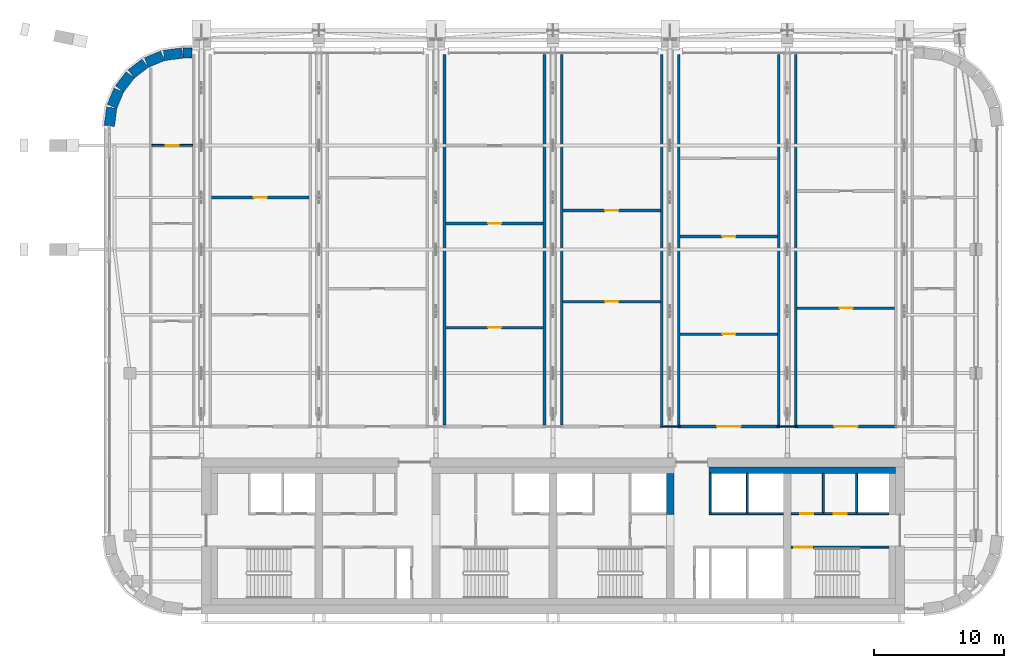
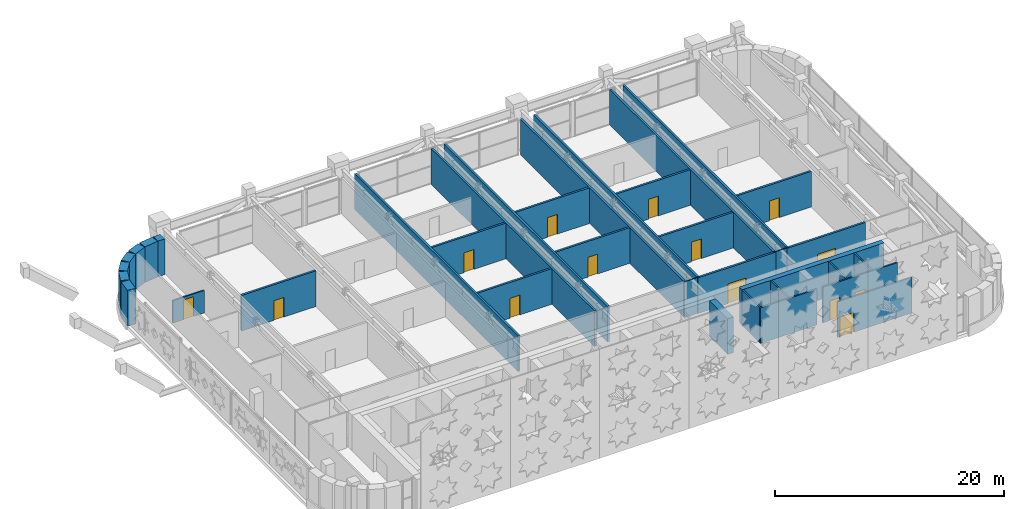
# One storey, part 18 of 26: 36 walls, 14 doors, 14 openings.
"""IFC4 building model written with IfcOpenShell, lengths in metres."""

from ifc_helpers import new_model, si_unit, direction, frame, frame_2d, origin, place, context, subcontext, project, spatial, rectangle, extrude, material, layer, layer_set, type_object, element, fill, save


model = new_model("IFC4")

# Units and contexts
model_context = context("Model", 3, precision=1e-05, world=origin(), true_north=direction((0.0, 1.0)))
body_context = subcontext(model_context, "Body", "Model", "MODEL_VIEW")
ifc_project = project(units=[si_unit("LENGTHUNIT", "METRE"), si_unit("AREAUNIT", "SQUARE_METRE"), si_unit("VOLUMEUNIT", "CUBIC_METRE"), si_unit("PLANEANGLEUNIT", "RADIAN"), si_unit("MASSUNIT", "GRAM", prefix="KILO")], contexts=[model_context])

# Site, building, storey
site_placement = place(None, origin())
site = spatial("IfcSite", under=ifc_project, at=site_placement, CompositionType="ELEMENT")
building_placement = place(site_placement, origin())
building = spatial("IfcBuilding", under=site, at=building_placement, Name="Zellij Exchange Tower", CompositionType="ELEMENT")
storey_placement = place(building_placement, frame((0.0, 0.0, 216.5)))
storey = spatial("IfcBuildingStorey", under=building, at=storey_placement, Name="L50", CompositionType="ELEMENT", Elevation=216.5)

# Walls
ifc_material_1 = material(Name="Concrete C50/60", Category="concrete")
ifc_layer_1 = layer(ifc_material_1, 0.60009765625)
ifc_layer_set_1 = layer_set([ifc_layer_1], Name="Concrete C50/60")
wall_type_1 = type_object("IfcWallType", Name="CORE-CW 600 C50/60", PredefinedType="SHEAR", material=ifc_layer_set_1)
wall_1_placement = place(storey_placement, frame((9.0, -6.375, 0.0), z_axis=(0.0, 0.0, 1.0), x_axis=(0.0, 1.0, 0.0)))
element("IfcWall", 1, at=wall_1_placement, inside=storey, type_object=wall_type_1, Name="Core cross wall pier x 9 b L50", PredefinedType="SHEAR", context=body_context, shape_type="SweptSolid", body=[
    extrude(rectangle(XDim=3.175048828125, YDim=0.60009765625, at=frame_2d((1.58740234375, 0.0))), origin(), (0.0, 0.0, 1.0), 3.800048828125),
])
ifc_material_2 = material(Name="Concrete C30/37", Category="concrete")
ifc_layer_2 = layer(ifc_material_2, 0.5)
ifc_layer_set_2 = layer_set([ifc_layer_2], Name="Concrete C30/37")
wall_type_2 = type_object("IfcWallType", Name="CORE-LW 500 C30/37", PredefinedType="SHEAR", material=ifc_layer_set_2)
wall_2_placement = place(storey_placement, frame((12.0, -2.949951171875, 0.0), z_axis=(0.0, 0.0, 1.0), x_axis=(1.0, 0.0, 0.0)))
element("IfcWall", 2, at=wall_2_placement, inside=storey, type_object=wall_type_2, Name="Core wall lining front.2 L50", PredefinedType="SHEAR", context=body_context, shape_type="SweptSolid", body=[
    extrude(rectangle(XDim=14.300048828125, YDim=0.5, at=frame_2d((7.14990234375, 0.0))), origin(), (0.0, 0.0, 1.0), 3.800048828125),
])
ifc_material_3 = material(Name="Gypsum shaft wall system")
ifc_layer_3 = layer(ifc_material_3, 0.14990234375)
ifc_layer_set_3 = layer_set([ifc_layer_3], Name="Gypsum shaft wall system")
wall_type_3 = type_object("IfcWallType", Name="CORE-PW 150 Lift shaft wall", PredefinedType="PARTITIONING", material=ifc_layer_set_3)
for number, where, z_axis, x_axis, name in (
    (3, (12.074951171875, -6.22509765625, 0.0), (0.0, 0.0, 1.0), (0.0, 1.0, 0.0), "Lift shaft wall L50"),
    (4, (14.925048828125, -6.22509765625, 0.0), (0.0, 0.0, 1.0), (0.0, 1.0, 0.0), "Lift shaft wall L50"),
    (5, (23.324951171875, -6.22509765625, 0.0), (0.0, 0.0, 1.0), (0.0, 1.0, 0.0), "Lift shaft wall L50"),
):
    element("IfcWall", number, at=place(storey_placement, frame(where, z_axis=z_axis, x_axis=x_axis)), inside=storey, type_object=wall_type_3, Name=name, PredefinedType="PARTITIONING", context=body_context, shape_type="SweptSolid", body=[
        extrude(rectangle(XDim=3.025146484375, YDim=0.14990234375, at=frame_2d((1.5126953125, 0.0))), origin(), (0.0, 0.0, 1.0), 3.800048828125),
    ])
wall_3_placement = place(storey_placement, frame((12.0, -6.300048828125, 0.0), z_axis=(0.0, 0.0, 1.0), x_axis=(1.0, 0.0, 0.0)))
element("IfcWall", 6, at=wall_3_placement, inside=storey, type_object=wall_type_3, Name="Lift shaft wall L50", PredefinedType="PARTITIONING", context=body_context, shape_type="SweptSolid", body=[
    extrude(rectangle(XDim=5.699951171875, YDim=0.14990234375, at=frame_2d((2.85009765625, 0.0))), origin(), (0.0, 0.0, 1.0), 3.800048828125),
])

# Wall, openings, doors
wall_4_placement = place(storey_placement, frame((18.300048828125, -6.300048828125, 0.0), z_axis=(0.0, 0.0, 1.0), x_axis=(1.0, 0.0, 0.0)))
wall_4 = element("IfcWall", 7, at=wall_4_placement, inside=storey, type_object=wall_type_3, Name="Lift shaft wall L50", PredefinedType="PARTITIONING", context=body_context, shape_type="SweptSolid", body=[
    extrude(rectangle(XDim=7.5, YDim=0.14990234375, at=frame_2d((3.75, 0.0))), origin(), (0.0, 0.0, 1.0), 3.800048828125),
])
opening_1_placement = place(wall_4_placement, frame((0.699951171875, 0.0, 0.0)))
opening_1 = element("IfcOpeningElement", 8, at=opening_1_placement, cuts=wall_4, Name="Opening CA-27.20", PredefinedType="OPENING", context=body_context, shape_type="SweptSolid", body=[
    extrude(rectangle(XDim=1.0, YDim=2.10009765625, at=frame_2d((0.5, 1.050048828125))), frame((0.0, 0.0869140625, 0.0), z_axis=(0.0, -1.0, 0.0), x_axis=(1.0, 0.0, 0.0)), (0.0, 0.0, 1.0), 0.173828125),
])
opening_2_placement = place(wall_4_placement, frame((3.25, 0.0, 0.0)))
opening_2 = element("IfcOpeningElement", 9, at=opening_2_placement, cuts=wall_4, Name="Opening CA-27.21", PredefinedType="OPENING", context=body_context, shape_type="SweptSolid", body=[
    extrude(rectangle(XDim=1.0, YDim=2.10009765625, at=frame_2d((0.5, 1.050048828125))), frame((0.0, 0.0869140625, 0.0), z_axis=(0.0, -1.0, 0.0), x_axis=(1.0, 0.0, 0.0)), (0.0, 0.0, 1.0), 0.173828125),
])
ifc_material_4 = material(Name="Hollow metal fire door")
door_type_1 = type_object("IfcDoorType", Name="CORE-D CDA Core room door 1000x2100 1.5 HR", OperationType="NOTDEFINED", PredefinedType="DOOR", material=ifc_material_4)
door_1_placement = place(opening_1_placement, origin())
door_1 = element("IfcDoor", 10, at=door_1_placement, inside=storey, type_object=door_type_1, Name="Core room door CA-27.20", OperationType="SINGLE_SWING_LEFT", OverallHeight=2.10009765625, OverallWidth=1.0, PredefinedType="DOOR", context=body_context, shape_type="SweptSolid", body=[
    extrude(rectangle(XDim=1.0, YDim=2.10009765625, at=frame_2d((0.5, 1.050048828125))), frame((0.0, 0.02490234375, 0.0), z_axis=(0.0, -1.0, 0.0), x_axis=(1.0, 0.0, 0.0)), (0.0, 0.0, 1.0), 0.050048828125),
])
fill(opening_1, door_1)
door_2_placement = place(opening_2_placement, origin())
door_2 = element("IfcDoor", 11, at=door_2_placement, inside=storey, type_object=door_type_1, Name="Core room door CA-27.21", OperationType="SINGLE_SWING_LEFT", OverallHeight=2.10009765625, OverallWidth=1.0, PredefinedType="DOOR", context=body_context, shape_type="SweptSolid", body=[
    extrude(rectangle(XDim=1.0, YDim=2.10009765625, at=frame_2d((0.5, 1.050048828125))), frame((0.0, 0.02490234375, 0.0), z_axis=(0.0, -1.0, 0.0), x_axis=(1.0, 0.0, 0.0)), (0.0, 0.0, 1.0), 0.050048828125),
])
fill(opening_2, door_2)

# Wall
ifc_layer_4 = layer(ifc_material_3, 0.14990234375)
ifc_layer_set_4 = layer_set([ifc_layer_4], Name="Gypsum shaft wall system")
wall_type_4 = type_object("IfcWallType", Name="CORE-PW 150 Plant room wall", PredefinedType="PARTITIONING", material=ifc_layer_set_4)
wall_5_placement = place(storey_placement, frame((20.77490234375, -6.22509765625, 0.0), z_axis=(0.0, 0.0, 1.0), x_axis=(0.0, 1.0, 0.0)))
element("IfcWall", 12, at=wall_5_placement, inside=storey, type_object=wall_type_4, Name="Plant room wall L50", PredefinedType="PARTITIONING", context=body_context, shape_type="SweptSolid", body=[
    extrude(rectangle(XDim=3.025146484375, YDim=0.14990234375, at=frame_2d((1.5126953125, 0.0))), origin(), (0.0, 0.0, 1.0), 3.800048828125),
])

# Wall, opening, door
ifc_layer_5 = layer(ifc_material_1, 0.14990234375)
ifc_layer_set_5 = layer_set([ifc_layer_5], Name="Concrete C50/60")
wall_type_5 = type_object("IfcWallType", Name="CORE-SWS 150 C50/60", PredefinedType="SHEAR", material=ifc_layer_set_5)
wall_6_placement = place(storey_placement, frame((18.300048828125, -8.875, 0.0), z_axis=(0.0, 0.0, 1.0), x_axis=(1.0, 0.0, 0.0)))
wall_6 = element("IfcWall", 13, at=wall_6_placement, inside=storey, type_object=wall_type_5, Name="Stair enclosure wall L50", PredefinedType="SHEAR", context=body_context, shape_type="SweptSolid", body=[
    extrude(rectangle(XDim=7.5, YDim=0.14990234375, at=frame_2d((3.75, 0.0))), origin(), (0.0, 0.0, 1.0), 3.800048828125),
])
opening_3_placement = place(wall_6_placement, frame((0.22509765625, 0.0, 0.0)))
opening_3 = element("IfcOpeningElement", 14, at=opening_3_placement, cuts=wall_6, Name="Opening CA-27.19", PredefinedType="OPENING", context=body_context, shape_type="SweptSolid", body=[
    extrude(rectangle(XDim=1.39990234375, YDim=2.10009765625, at=frame_2d((0.699951171875, 1.050048828125))), frame((0.0, 0.0869140625, 0.0), z_axis=(0.0, -1.0, 0.0), x_axis=(1.0, 0.0, 0.0)), (0.0, 0.0, 1.0), 0.173828125),
])
door_type_2 = type_object("IfcDoorType", Name="CORE-D SD Stair door 1400x2100 1.5 HR", OperationType="NOTDEFINED", PredefinedType="DOOR", material=ifc_material_4)
door_3_placement = place(opening_3_placement, origin())
door_3 = element("IfcDoor", 15, at=door_3_placement, inside=storey, type_object=door_type_2, Name="Stair door CA-27.19", OperationType="DOUBLE_DOOR_SINGLE_SWING", OverallHeight=2.10009765625, OverallWidth=1.39990234375, PredefinedType="DOOR", context=body_context, shape_type="SweptSolid", body=[
    extrude(rectangle(XDim=1.39990234375, YDim=2.10009765625, at=frame_2d((0.699951171875, 1.050048828125))), frame((0.0, 0.02490234375, 0.0), z_axis=(0.0, -1.0, 0.0), x_axis=(1.0, 0.0, 0.0)), (0.0, 0.0, 1.0), 0.050048828125),
])
fill(opening_3, door_3)

# Walls
ifc_material_5 = material(Name="Precast concrete C40/50", Category="concrete")
ifc_layer_6 = layer(ifc_material_5, 0.800048828125)
ifc_layer_set_6 = layer_set([ifc_layer_6], Name="Precast concrete C40/50")
wall_type_6 = type_object("IfcWallType", Name="ENV-EW1 Precast stone-piered wall 800", PredefinedType="SOLIDWALL", material=ifc_layer_set_6)
wall_7_placement = place(storey_placement, frame((-27.75, 29.10009765625, 0.0), z_axis=(0.0, 0.0, 1.0), x_axis=(-1.0, 0.0, 0.0)))
element("IfcWall", 16, at=wall_7_placement, inside=storey, type_object=wall_type_6, Name="fac.L50.14h", PredefinedType="SOLIDWALL", context=body_context, shape_type="SweptSolid", body=[
    extrude(rectangle(XDim=0.697509765625, YDim=0.800048828125, at=frame_2d((0.3486328125, 0.0))), origin(), (0.0, 0.0, 1.0), 3.800048828125),
])
wall_8_placement = place(storey_placement, frame((-28.499755859375, 29.0966796875, 0.0), z_axis=(0.0, 0.0, 1.0), x_axis=(-0.99144603414, -0.130517283865, 0.0)))
element("IfcWall", 17, at=wall_8_placement, inside=storey, type_object=wall_type_6, Name="fac.L50.15", PredefinedType="SOLIDWALL", context=body_context, shape_type="SweptSolid", body=[
    extrude(rectangle(XDim=1.408447265625, YDim=0.800048828125, at=frame_2d((0.7041015625, 0.0))), origin(), (0.0, 0.0, 1.0), 3.800048828125),
])
wall_9_placement = place(storey_placement, frame((-29.997314453125, 28.8857421875, 0.0), z_axis=(0.0, 0.0, 1.0), x_axis=(-0.923847774587, -0.38276009378, 0.0)))
element("IfcWall", 18, at=wall_9_placement, inside=storey, type_object=wall_type_6, Name="fac.L50.16", PredefinedType="SOLIDWALL", context=body_context, shape_type="SweptSolid", body=[
    extrude(rectangle(XDim=1.35546875, YDim=0.800048828125, at=frame_2d((0.677734375, 0.0))), origin(), (0.0, 0.0, 1.0), 3.800048828125),
])
for number, where, z_axis, x_axis, name in (
    (19, (-31.340087890625, 28.314697265625, 0.0), (0.0, 0.0, 1.0), (-0.793272915452, -0.608866226366, 0.0), "fac.L50.17"),
    (20, (-32.4892578125, 27.41552734375, 0.0), (0.0, 0.0, 1.0), (-0.608866226366, -0.793272915452, 0.0), "fac.L50.18"),
):
    element("IfcWall", number, at=place(storey_placement, frame(where, z_axis=z_axis, x_axis=x_axis)), inside=storey, type_object=wall_type_6, Name=name, PredefinedType="SOLIDWALL", context=body_context, shape_type="SweptSolid", body=[
        extrude(rectangle(XDim=1.355712890625, YDim=0.800048828125, at=frame_2d((0.677734375, 0.0))), origin(), (0.0, 0.0, 1.0), 3.800048828125),
    ])
wall_10_placement = place(storey_placement, frame((-33.366943359375, 26.24951171875, 0.0), z_axis=(0.0, 0.0, 1.0), x_axis=(-0.38276009378, -0.923847774587, 0.0)))
element("IfcWall", 21, at=wall_10_placement, inside=storey, type_object=wall_type_6, Name="fac.L50.19", PredefinedType="SOLIDWALL", context=body_context, shape_type="SweptSolid", body=[
    extrude(rectangle(XDim=1.35546875, YDim=0.800048828125, at=frame_2d((0.677734375, 0.0))), origin(), (0.0, 0.0, 1.0), 3.800048828125),
])
wall_11_placement = place(storey_placement, frame((-33.912841796875, 24.896240234375, 0.0), z_axis=(0.0, 0.0, 1.0), x_axis=(-0.130517283865, -0.99144603414, 0.0)))
element("IfcWall", 22, at=wall_11_placement, inside=storey, type_object=wall_type_6, Name="fac.L50.20", PredefinedType="SOLIDWALL", context=body_context, shape_type="SweptSolid", body=[
    extrude(rectangle(XDim=1.408447265625, YDim=0.800048828125, at=frame_2d((0.7041015625, 0.0))), origin(), (0.0, 0.0, 1.0), 3.800048828125),
])
ifc_material_6 = material(Name="Blockwork fire wall", Category="masonry")
ifc_layer_7 = layer(ifc_material_6, 0.199951171875)
ifc_layer_set_7 = layer_set([ifc_layer_7], Name="Blockwork fire wall")
wall_type_7 = type_object("IfcWallType", Name="FIT-BLOCKWORK-200-EI120", PredefinedType="PARTITIONING", material=ifc_layer_set_7)
wall_12_placement = place(storey_placement, frame((-8.340087890625, 0.5, 0.0), z_axis=(0.0, 0.0, 1.0), x_axis=(0.0, 1.0, 0.0)))
element("IfcWall", 23, at=wall_12_placement, inside=storey, type_object=wall_type_7, Name="FIT-BLOCKWORK-200-EI120 020", PredefinedType="PARTITIONING", context=body_context, shape_type="SweptSolid", body=[
    extrude(rectangle(XDim=28.5, YDim=0.199951171875, at=frame_2d((14.25, 0.0))), origin(), (0.0, 0.0, 1.0), 3.800048828125),
])
for number, where, z_axis, x_axis, name in (
    (24, (-0.659912109375, 0.5, 0.0), (0.0, 0.0, 1.0), (0.0, 1.0, 0.0), "FIT-BLOCKWORK-200-EI120 022"),
    (25, (0.659912109375, 0.5, 0.0), (0.0, 0.0, 1.0), (0.0, 1.0, 0.0), "FIT-BLOCKWORK-200-EI120 024"),
):
    element("IfcWall", number, at=place(storey_placement, frame(where, z_axis=z_axis, x_axis=x_axis)), inside=storey, type_object=wall_type_7, Name=name, PredefinedType="PARTITIONING", context=body_context, shape_type="SweptSolid", body=[
        extrude(rectangle(XDim=28.49609375, YDim=0.199951171875, at=frame_2d((14.248046875, 0.0))), origin(), (0.0, 0.0, 1.0), 3.800048828125),
    ])
wall_13_placement = place(storey_placement, frame((8.340087890625, 0.5, 0.0), z_axis=(0.0, 0.0, 1.0), x_axis=(0.0, 1.0, 0.0)))
element("IfcWall", 26, at=wall_13_placement, inside=storey, type_object=wall_type_7, Name="FIT-BLOCKWORK-200-EI120 026", PredefinedType="PARTITIONING", context=body_context, shape_type="SweptSolid", body=[
    extrude(rectangle(XDim=28.5, YDim=0.199951171875, at=frame_2d((14.25, 0.0))), origin(), (0.0, 0.0, 1.0), 3.800048828125),
])

# Wall, opening, door
wall_14_placement = place(storey_placement, frame((9.56005859375, 0.39990234375, 0.0), z_axis=(0.0, 0.0, 1.0), x_axis=(1.0, 0.0, 0.0)))
wall_14 = element("IfcWall", 27, at=wall_14_placement, inside=storey, type_object=wall_type_7, Name="FIT-BLOCKWORK-200-EI120 027", PredefinedType="PARTITIONING", context=body_context, shape_type="SweptSolid", body=[
    extrude(rectangle(XDim=7.8798828125, YDim=0.199951171875, at=frame_2d((3.93994140625, 0.0))), origin(), (0.0, 0.0, 1.0), 3.800048828125),
])
opening_4_placement = place(wall_14_placement, frame((3.050048828125, 0.0, 0.0)))
opening_4 = element("IfcOpeningElement", 28, at=opening_4_placement, cuts=wall_14, Name="Opening PL50.08", PredefinedType="OPENING", context=body_context, shape_type="SweptSolid", body=[
    extrude(rectangle(XDim=1.800048828125, YDim=2.10009765625, at=frame_2d((0.89990234375, 1.050048828125))), frame((0.0, 0.11181640625, 0.0), z_axis=(0.0, -1.0, 0.0), x_axis=(1.0, 0.0, 0.0)), (0.0, 0.0, 1.0), 0.223876953125),
])
ifc_material_7 = material(Name="Steel fire door set", Category="steel")
door_type_3 = type_object("IfcDoorType", Name="FIT-D5-FIRE-DOUBLE-1800X2100", OperationType="DOUBLE_DOOR_SINGLE_SWING", PredefinedType="DOOR", material=ifc_material_7)
door_4_placement = place(opening_4_placement, origin())
door_4 = element("IfcDoor", 29, at=door_4_placement, inside=storey, type_object=door_type_3, Name="Door PL50.08", OperationType="DOUBLE_DOOR_SINGLE_SWING", OverallHeight=2.10009765625, OverallWidth=1.800048828125, PredefinedType="DOOR", context=body_context, shape_type="SweptSolid", body=[
    extrude(rectangle(XDim=1.800048828125, YDim=2.10009765625, at=frame_2d((0.89990234375, 1.050048828125))), frame((0.0, 0.02490234375, 0.0), z_axis=(0.0, -1.0, 0.0), x_axis=(1.0, 0.0, 0.0)), (0.0, 0.0, 1.0), 0.050048828125),
])
fill(opening_4, door_4)

# Walls
wall_15_placement = place(storey_placement, frame((9.659912109375, 0.5, 0.0), z_axis=(0.0, 0.0, 1.0), x_axis=(0.0, 1.0, 0.0)))
element("IfcWall", 30, at=wall_15_placement, inside=storey, type_object=wall_type_7, Name="FIT-BLOCKWORK-200-EI120 028", PredefinedType="PARTITIONING", context=body_context, shape_type="SweptSolid", body=[
    extrude(rectangle(XDim=28.5, YDim=0.199951171875, at=frame_2d((14.25, 0.0))), origin(), (0.0, 0.0, 1.0), 3.800048828125),
])
wall_16_placement = place(storey_placement, frame((17.340087890625, 0.5, 0.0), z_axis=(0.0, 0.0, 1.0), x_axis=(0.0, 1.0, 0.0)))
element("IfcWall", 31, at=wall_16_placement, inside=storey, type_object=wall_type_7, Name="FIT-BLOCKWORK-200-EI120 030", PredefinedType="PARTITIONING", context=body_context, shape_type="SweptSolid", body=[
    extrude(rectangle(XDim=28.49609375, YDim=0.199951171875, at=frame_2d((14.248046875, 0.0))), origin(), (0.0, 0.0, 1.0), 3.800048828125),
])

# Wall, opening, door
wall_17_placement = place(storey_placement, frame((18.56005859375, 0.39990234375, 0.0), z_axis=(0.0, 0.0, 1.0), x_axis=(1.0, 0.0, 0.0)))
wall_17 = element("IfcWall", 32, at=wall_17_placement, inside=storey, type_object=wall_type_7, Name="FIT-BLOCKWORK-200-EI120 031", PredefinedType="PARTITIONING", context=body_context, shape_type="SweptSolid", body=[
    extrude(rectangle(XDim=7.8798828125, YDim=0.199951171875, at=frame_2d((3.93994140625, 0.0))), origin(), (0.0, 0.0, 1.0), 3.800048828125),
])
opening_5_placement = place(wall_17_placement, frame((3.050048828125, 0.0, 0.0)))
opening_5 = element("IfcOpeningElement", 33, at=opening_5_placement, cuts=wall_17, Name="Opening PL50.09", PredefinedType="OPENING", context=body_context, shape_type="SweptSolid", body=[
    extrude(rectangle(XDim=1.800048828125, YDim=2.10009765625, at=frame_2d((0.89990234375, 1.050048828125))), frame((0.0, 0.11181640625, 0.0), z_axis=(0.0, -1.0, 0.0), x_axis=(1.0, 0.0, 0.0)), (0.0, 0.0, 1.0), 0.223876953125),
])
door_5_placement = place(opening_5_placement, origin())
door_5 = element("IfcDoor", 34, at=door_5_placement, inside=storey, type_object=door_type_3, Name="Door PL50.09", OperationType="DOUBLE_DOOR_SINGLE_SWING", OverallHeight=2.10009765625, OverallWidth=1.800048828125, PredefinedType="DOOR", context=body_context, shape_type="SweptSolid", body=[
    extrude(rectangle(XDim=1.800048828125, YDim=2.10009765625, at=frame_2d((0.89990234375, 1.050048828125))), frame((0.0, 0.02490234375, 0.0), z_axis=(0.0, -1.0, 0.0), x_axis=(1.0, 0.0, 0.0)), (0.0, 0.0, 1.0), 0.050048828125),
])
fill(opening_5, door_5)

# Wall
wall_18_placement = place(storey_placement, frame((18.659912109375, 0.5, 0.0), z_axis=(0.0, 0.0, 1.0), x_axis=(0.0, 1.0, 0.0)))
element("IfcWall", 35, at=wall_18_placement, inside=storey, type_object=wall_type_7, Name="FIT-BLOCKWORK-200-EI120 032", PredefinedType="PARTITIONING", context=body_context, shape_type="SweptSolid", body=[
    extrude(rectangle(XDim=28.49609375, YDim=0.199951171875, at=frame_2d((14.248046875, 0.0))), origin(), (0.0, 0.0, 1.0), 3.800048828125),
])

# Wall, opening, door
wall_19_placement = place(storey_placement, frame((9.760009765625, 7.5, 0.0), z_axis=(0.0, 0.0, 1.0), x_axis=(1.0, 0.0, 0.0)))
wall_19 = element("IfcWall", 36, at=wall_19_placement, inside=storey, type_object=wall_type_7, Name="FIT-BLOCKWORK-200-EI120 038", PredefinedType="PARTITIONING", context=body_context, shape_type="SweptSolid", body=[
    extrude(rectangle(XDim=7.47998046875, YDim=0.199951171875, at=frame_2d((3.739990234375, 0.0))), origin(), (0.0, 0.0, 1.0), 3.800048828125),
])
opening_6_placement = place(wall_19_placement, frame((3.25, 0.0, 0.0)))
opening_6 = element("IfcOpeningElement", 37, at=opening_6_placement, cuts=wall_19, Name="Opening PL50.11", PredefinedType="OPENING", context=body_context, shape_type="SweptSolid", body=[
    extrude(rectangle(XDim=1.0, YDim=2.10009765625, at=frame_2d((0.5, 1.050048828125))), frame((0.0, 0.11181640625, 0.0), z_axis=(0.0, -1.0, 0.0), x_axis=(1.0, 0.0, 0.0)), (0.0, 0.0, 1.0), 0.223876953125),
])
door_type_4 = type_object("IfcDoorType", Name="FIT-D4-FIRE-1000X2100", OperationType="SINGLE_SWING_LEFT", PredefinedType="DOOR", material=ifc_material_7)
door_6_placement = place(opening_6_placement, origin())
door_6 = element("IfcDoor", 38, at=door_6_placement, inside=storey, type_object=door_type_4, Name="Door PL50.11", OperationType="SINGLE_SWING_RIGHT", OverallHeight=2.10009765625, OverallWidth=1.0, PredefinedType="DOOR", context=body_context, shape_type="SweptSolid", body=[
    extrude(rectangle(XDim=1.0, YDim=2.10009765625, at=frame_2d((0.5, 1.050048828125))), frame((0.0, 0.02490234375, 0.0), z_axis=(0.0, -1.0, 0.0), x_axis=(1.0, 0.0, 0.0)), (0.0, 0.0, 1.0), 0.050048828125),
])
fill(opening_6, door_6)

wall_20_placement = place(storey_placement, frame((-8.239990234375, 8.0, 0.0), z_axis=(0.0, 0.0, 1.0), x_axis=(1.0, 0.0, 0.0)))
wall_20 = element("IfcWall", 39, at=wall_20_placement, inside=storey, type_object=wall_type_7, Name="FIT-BLOCKWORK-200-EI120 039", PredefinedType="PARTITIONING", context=body_context, shape_type="SweptSolid", body=[
    extrude(rectangle(XDim=7.47998046875, YDim=0.199951171875, at=frame_2d((3.739990234375, 0.0))), origin(), (0.0, 0.0, 1.0), 3.800048828125),
])
opening_7_placement = place(wall_20_placement, frame((3.25, 0.0, 0.0)))
opening_7 = element("IfcOpeningElement", 40, at=opening_7_placement, cuts=wall_20, Name="Opening PL50.12", PredefinedType="OPENING", context=body_context, shape_type="SweptSolid", body=[
    extrude(rectangle(XDim=1.0, YDim=2.10009765625, at=frame_2d((0.5, 1.050048828125))), frame((0.0, 0.11181640625, 0.0), z_axis=(0.0, -1.0, 0.0), x_axis=(1.0, 0.0, 0.0)), (0.0, 0.0, 1.0), 0.223876953125),
])
door_7_placement = place(opening_7_placement, origin())
door_7 = element("IfcDoor", 41, at=door_7_placement, inside=storey, type_object=door_type_4, Name="Door PL50.12", OperationType="SINGLE_SWING_RIGHT", OverallHeight=2.10009765625, OverallWidth=1.0, PredefinedType="DOOR", context=body_context, shape_type="SweptSolid", body=[
    extrude(rectangle(XDim=1.0, YDim=2.10009765625, at=frame_2d((0.5, 1.050048828125))), frame((0.0, 0.02490234375, 0.0), z_axis=(0.0, -1.0, 0.0), x_axis=(1.0, 0.0, 0.0)), (0.0, 0.0, 1.0), 0.050048828125),
])
fill(opening_7, door_7)

wall_21_placement = place(storey_placement, frame((18.760009765625, 9.5, 0.0), z_axis=(0.0, 0.0, 1.0), x_axis=(1.0, 0.0, 0.0)))
wall_21 = element("IfcWall", 42, at=wall_21_placement, inside=storey, type_object=wall_type_7, Name="FIT-BLOCKWORK-200-EI120 042", PredefinedType="PARTITIONING", context=body_context, shape_type="SweptSolid", body=[
    extrude(rectangle(XDim=7.47998046875, YDim=0.199951171875, at=frame_2d((3.739990234375, 0.0))), origin(), (0.0, 0.0, 1.0), 3.800048828125),
])
opening_8_placement = place(wall_21_placement, frame((3.25, 0.0, 0.0)))
opening_8 = element("IfcOpeningElement", 43, at=opening_8_placement, cuts=wall_21, Name="Opening PL50.15", PredefinedType="OPENING", context=body_context, shape_type="SweptSolid", body=[
    extrude(rectangle(XDim=1.0, YDim=2.10009765625, at=frame_2d((0.5, 1.050048828125))), frame((0.0, 0.11181640625, 0.0), z_axis=(0.0, -1.0, 0.0), x_axis=(1.0, 0.0, 0.0)), (0.0, 0.0, 1.0), 0.223876953125),
])
door_8_placement = place(opening_8_placement, origin())
door_8 = element("IfcDoor", 44, at=door_8_placement, inside=storey, type_object=door_type_4, Name="Door PL50.15", OperationType="SINGLE_SWING_RIGHT", OverallHeight=2.10009765625, OverallWidth=1.0, PredefinedType="DOOR", context=body_context, shape_type="SweptSolid", body=[
    extrude(rectangle(XDim=1.0, YDim=2.10009765625, at=frame_2d((0.5, 1.050048828125))), frame((0.0, 0.02490234375, 0.0), z_axis=(0.0, -1.0, 0.0), x_axis=(1.0, 0.0, 0.0)), (0.0, 0.0, 1.0), 0.050048828125),
])
fill(opening_8, door_8)

wall_22_placement = place(storey_placement, frame((0.760009765625, 10.0, 0.0), z_axis=(0.0, 0.0, 1.0), x_axis=(1.0, 0.0, 0.0)))
wall_22 = element("IfcWall", 45, at=wall_22_placement, inside=storey, type_object=wall_type_7, Name="FIT-BLOCKWORK-200-EI120 043", PredefinedType="PARTITIONING", context=body_context, shape_type="SweptSolid", body=[
    extrude(rectangle(XDim=7.47998046875, YDim=0.199951171875, at=frame_2d((3.739990234375, 0.0))), origin(), (0.0, 0.0, 1.0), 3.800048828125),
])
opening_9_placement = place(wall_22_placement, frame((3.25, 0.0, 0.0)))
opening_9 = element("IfcOpeningElement", 46, at=opening_9_placement, cuts=wall_22, Name="Opening PL50.16", PredefinedType="OPENING", context=body_context, shape_type="SweptSolid", body=[
    extrude(rectangle(XDim=1.0, YDim=2.10009765625, at=frame_2d((0.5, 1.050048828125))), frame((0.0, 0.11181640625, 0.0), z_axis=(0.0, -1.0, 0.0), x_axis=(1.0, 0.0, 0.0)), (0.0, 0.0, 1.0), 0.223876953125),
])
door_9_placement = place(opening_9_placement, origin())
door_9 = element("IfcDoor", 47, at=door_9_placement, inside=storey, type_object=door_type_4, Name="Door PL50.16", OperationType="SINGLE_SWING_RIGHT", OverallHeight=2.10009765625, OverallWidth=1.0, PredefinedType="DOOR", context=body_context, shape_type="SweptSolid", body=[
    extrude(rectangle(XDim=1.0, YDim=2.10009765625, at=frame_2d((0.5, 1.050048828125))), frame((0.0, 0.02490234375, 0.0), z_axis=(0.0, -1.0, 0.0), x_axis=(1.0, 0.0, 0.0)), (0.0, 0.0, 1.0), 0.050048828125),
])
fill(opening_9, door_9)

wall_23_placement = place(storey_placement, frame((9.760009765625, 15.0, 0.0), z_axis=(0.0, 0.0, 1.0), x_axis=(1.0, 0.0, 0.0)))
wall_23 = element("IfcWall", 48, at=wall_23_placement, inside=storey, type_object=wall_type_7, Name="FIT-BLOCKWORK-200-EI120 046", PredefinedType="PARTITIONING", context=body_context, shape_type="SweptSolid", body=[
    extrude(rectangle(XDim=7.47998046875, YDim=0.199951171875, at=frame_2d((3.739990234375, 0.0))), origin(), (0.0, 0.0, 1.0), 3.800048828125),
])
opening_10_placement = place(wall_23_placement, frame((3.25, 0.0, 0.0)))
opening_10 = element("IfcOpeningElement", 49, at=opening_10_placement, cuts=wall_23, Name="Opening PL50.19", PredefinedType="OPENING", context=body_context, shape_type="SweptSolid", body=[
    extrude(rectangle(XDim=1.0, YDim=2.10009765625, at=frame_2d((0.5, 1.050048828125))), frame((0.0, 0.11181640625, 0.0), z_axis=(0.0, -1.0, 0.0), x_axis=(1.0, 0.0, 0.0)), (0.0, 0.0, 1.0), 0.223876953125),
])
door_10_placement = place(opening_10_placement, origin())
door_10 = element("IfcDoor", 50, at=door_10_placement, inside=storey, type_object=door_type_4, Name="Door PL50.19", OperationType="SINGLE_SWING_RIGHT", OverallHeight=2.10009765625, OverallWidth=1.0, PredefinedType="DOOR", context=body_context, shape_type="SweptSolid", body=[
    extrude(rectangle(XDim=1.0, YDim=2.10009765625, at=frame_2d((0.5, 1.050048828125))), frame((0.0, 0.02490234375, 0.0), z_axis=(0.0, -1.0, 0.0), x_axis=(1.0, 0.0, 0.0)), (0.0, 0.0, 1.0), 0.050048828125),
])
fill(opening_10, door_10)

wall_24_placement = place(storey_placement, frame((-8.239990234375, 16.0, 0.0), z_axis=(0.0, 0.0, 1.0), x_axis=(1.0, 0.0, 0.0)))
wall_24 = element("IfcWall", 51, at=wall_24_placement, inside=storey, type_object=wall_type_7, Name="FIT-BLOCKWORK-200-EI120 048", PredefinedType="PARTITIONING", context=body_context, shape_type="SweptSolid", body=[
    extrude(rectangle(XDim=7.47998046875, YDim=0.199951171875, at=frame_2d((3.739990234375, 0.0))), origin(), (0.0, 0.0, 1.0), 3.800048828125),
])
opening_11_placement = place(wall_24_placement, frame((3.25, 0.0, 0.0)))
opening_11 = element("IfcOpeningElement", 52, at=opening_11_placement, cuts=wall_24, Name="Opening PL50.21", PredefinedType="OPENING", context=body_context, shape_type="SweptSolid", body=[
    extrude(rectangle(XDim=1.0, YDim=2.10009765625, at=frame_2d((0.5, 1.050048828125))), frame((0.0, 0.11181640625, 0.0), z_axis=(0.0, -1.0, 0.0), x_axis=(1.0, 0.0, 0.0)), (0.0, 0.0, 1.0), 0.223876953125),
])
door_11_placement = place(opening_11_placement, origin())
door_11 = element("IfcDoor", 53, at=door_11_placement, inside=storey, type_object=door_type_4, Name="Door PL50.21", OperationType="SINGLE_SWING_RIGHT", OverallHeight=2.10009765625, OverallWidth=1.0, PredefinedType="DOOR", context=body_context, shape_type="SweptSolid", body=[
    extrude(rectangle(XDim=1.0, YDim=2.10009765625, at=frame_2d((0.5, 1.050048828125))), frame((0.0, 0.02490234375, 0.0), z_axis=(0.0, -1.0, 0.0), x_axis=(1.0, 0.0, 0.0)), (0.0, 0.0, 1.0), 0.050048828125),
])
fill(opening_11, door_11)

wall_25_placement = place(storey_placement, frame((0.760009765625, 17.0, 0.0), z_axis=(0.0, 0.0, 1.0), x_axis=(1.0, 0.0, 0.0)))
wall_25 = element("IfcWall", 54, at=wall_25_placement, inside=storey, type_object=wall_type_7, Name="FIT-BLOCKWORK-200-EI120 049", PredefinedType="PARTITIONING", context=body_context, shape_type="SweptSolid", body=[
    extrude(rectangle(XDim=7.47998046875, YDim=0.199951171875, at=frame_2d((3.739990234375, 0.0))), origin(), (0.0, 0.0, 1.0), 3.800048828125),
])
opening_12_placement = place(wall_25_placement, frame((3.25, 0.0, 0.0)))
opening_12 = element("IfcOpeningElement", 55, at=opening_12_placement, cuts=wall_25, Name="Opening PL50.22", PredefinedType="OPENING", context=body_context, shape_type="SweptSolid", body=[
    extrude(rectangle(XDim=1.0, YDim=2.10009765625, at=frame_2d((0.5, 1.050048828125))), frame((0.0, 0.11181640625, 0.0), z_axis=(0.0, -1.0, 0.0), x_axis=(1.0, 0.0, 0.0)), (0.0, 0.0, 1.0), 0.223876953125),
])
door_12_placement = place(opening_12_placement, origin())
door_12 = element("IfcDoor", 56, at=door_12_placement, inside=storey, type_object=door_type_4, Name="Door PL50.22", OperationType="SINGLE_SWING_RIGHT", OverallHeight=2.10009765625, OverallWidth=1.0, PredefinedType="DOOR", context=body_context, shape_type="SweptSolid", body=[
    extrude(rectangle(XDim=1.0, YDim=2.10009765625, at=frame_2d((0.5, 1.050048828125))), frame((0.0, 0.02490234375, 0.0), z_axis=(0.0, -1.0, 0.0), x_axis=(1.0, 0.0, 0.0)), (0.0, 0.0, 1.0), 0.050048828125),
])
fill(opening_12, door_12)

wall_26_placement = place(storey_placement, frame((-26.239990234375, 18.0, 0.0), z_axis=(0.0, 0.0, 1.0), x_axis=(1.0, 0.0, 0.0)))
wall_26 = element("IfcWall", 57, at=wall_26_placement, inside=storey, type_object=wall_type_7, Name="FIT-BLOCKWORK-200-EI120 050", PredefinedType="PARTITIONING", context=body_context, shape_type="SweptSolid", body=[
    extrude(rectangle(XDim=7.47998046875, YDim=0.199951171875, at=frame_2d((3.739990234375, 0.0))), origin(), (0.0, 0.0, 1.0), 3.800048828125),
])
opening_13_placement = place(wall_26_placement, frame((3.25, 0.0, 0.0)))
opening_13 = element("IfcOpeningElement", 58, at=opening_13_placement, cuts=wall_26, Name="Opening PL50.23", PredefinedType="OPENING", context=body_context, shape_type="SweptSolid", body=[
    extrude(rectangle(XDim=1.0, YDim=2.10009765625, at=frame_2d((0.5, 1.050048828125))), frame((0.0, 0.11181640625, 0.0), z_axis=(0.0, -1.0, 0.0), x_axis=(1.0, 0.0, 0.0)), (0.0, 0.0, 1.0), 0.223876953125),
])
door_13_placement = place(opening_13_placement, origin())
door_13 = element("IfcDoor", 59, at=door_13_placement, inside=storey, type_object=door_type_4, Name="Door PL50.23", OperationType="SINGLE_SWING_RIGHT", OverallHeight=2.10009765625, OverallWidth=1.0, PredefinedType="DOOR", context=body_context, shape_type="SweptSolid", body=[
    extrude(rectangle(XDim=1.0, YDim=2.10009765625, at=frame_2d((0.5, 1.050048828125))), frame((0.0, 0.02490234375, 0.0), z_axis=(0.0, -1.0, 0.0), x_axis=(1.0, 0.0, 0.0)), (0.0, 0.0, 1.0), 0.050048828125),
])
fill(opening_13, door_13)

# Walls
ifc_material_8 = material(Name="Gypsum board partition on steel studs", Category="steel")
ifc_layer_8 = layer(ifc_material_8, 0.10009765625)
ifc_layer_set_8 = layer_set([ifc_layer_8], Name="Gypsum board partition on steel studs")
wall_type_8 = type_object("IfcWallType", Name="FIT-PARTITION-100", PredefinedType="PARTITIONING", material=ifc_layer_set_8)
for number, where, z_axis, x_axis, name in (
    (60, (8.239990234375, 0.39990234375, 0.0), (0.0, 0.0, 1.0), (1.0, 0.0, 0.0), "FIT-PARTITION-100 025"),
    (61, (17.239990234375, 0.39990234375, 0.0), (0.0, 0.0, 1.0), (1.0, 0.0, 0.0), "FIT-PARTITION-100 029"),
):
    element("IfcWall", number, at=place(storey_placement, frame(where, z_axis=z_axis, x_axis=x_axis)), inside=storey, type_object=wall_type_8, Name=name, PredefinedType="PARTITIONING", context=body_context, shape_type="SweptSolid", body=[
        extrude(rectangle(XDim=1.52001953125, YDim=0.10009765625, at=frame_2d((0.760009765625, 0.0))), origin(), (0.0, 0.0, 1.0), 3.800048828125),
    ])

# Wall, opening, door
ifc_material_9 = material(Name="Gypsum board shaft-wall partition", Category="gypsum")
ifc_layer_9 = layer(ifc_material_9, 0.14990234375)
ifc_layer_set_9 = layer_set([ifc_layer_9], Name="Gypsum board shaft-wall partition")
wall_type_9 = type_object("IfcWallType", Name="FIT-PARTITION-150-EI60", PredefinedType="PARTITIONING", material=ifc_layer_set_9)
wall_27_placement = place(storey_placement, frame((-30.824951171875, 22.0, 0.0), z_axis=(0.0, 0.0, 1.0), x_axis=(1.0, 0.0, 0.0)))
wall_27 = element("IfcWall", 62, at=wall_27_placement, inside=storey, type_object=wall_type_9, Name="FIT-PARTITION-150-EI60 057", PredefinedType="PARTITIONING", context=body_context, shape_type="SweptSolid", body=[
    extrude(rectangle(XDim=3.14990234375, YDim=0.14990234375, at=frame_2d((1.574951171875, 0.0))), origin(), (0.0, 0.0, 1.0), 2.39990234375),
])
opening_14_placement = place(wall_27_placement, frame((1.074951171875, 0.0, 0.0)))
opening_14 = element("IfcOpeningElement", 63, at=opening_14_placement, cuts=wall_27, Name="Opening PL50.28", PredefinedType="OPENING", context=body_context, shape_type="SweptSolid", body=[
    extrude(rectangle(XDim=1.0, YDim=2.10009765625, at=frame_2d((0.5, 1.050048828125))), frame((0.0, 0.0869140625, 0.0), z_axis=(0.0, -1.0, 0.0), x_axis=(1.0, 0.0, 0.0)), (0.0, 0.0, 1.0), 0.173828125),
])
door_14_placement = place(opening_14_placement, origin())
door_14 = element("IfcDoor", 64, at=door_14_placement, inside=storey, type_object=door_type_4, Name="Door PL50.28", OperationType="SINGLE_SWING_RIGHT", OverallHeight=2.10009765625, OverallWidth=1.0, PredefinedType="DOOR", context=body_context, shape_type="SweptSolid", body=[
    extrude(rectangle(XDim=1.0, YDim=2.10009765625, at=frame_2d((0.5, 1.050048828125))), frame((0.0, 0.02490234375, 0.0), z_axis=(0.0, -1.0, 0.0), x_axis=(1.0, 0.0, 0.0)), (0.0, 0.0, 1.0), 0.050048828125),
])
fill(opening_14, door_14)

save(model, "model.ifc")
